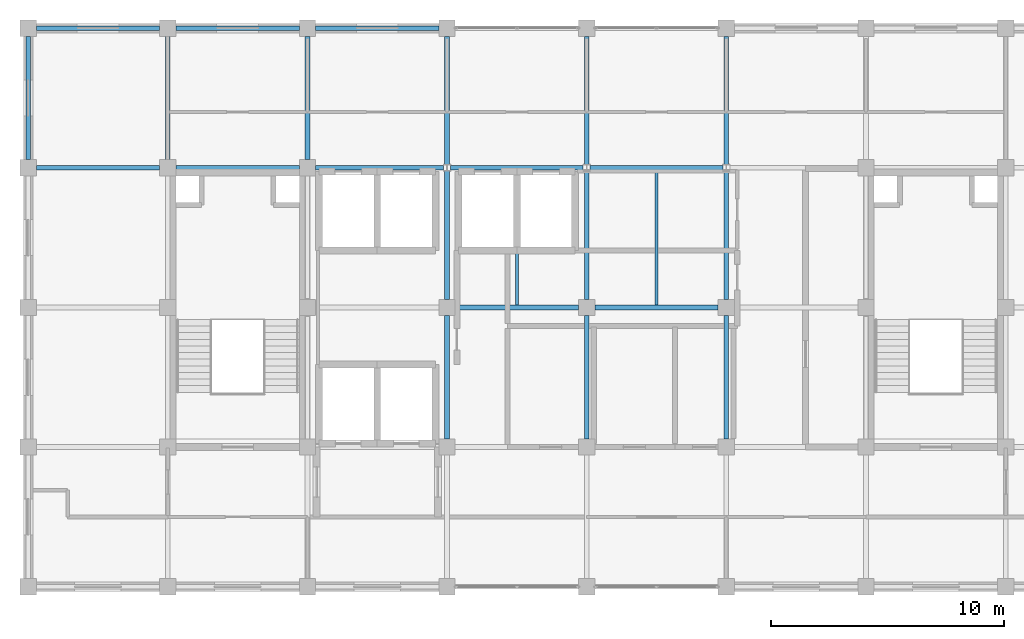
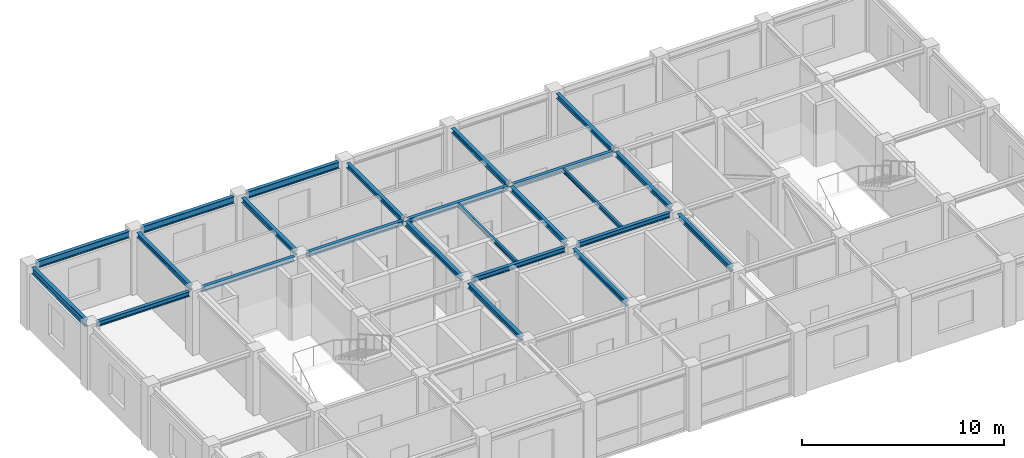
# One storey, part 5 of 11: 24 beams.
"""IFC4 building model written with IfcOpenShell, lengths in metres."""

from ifc_helpers import new_model, si_unit, direction, frame, origin, origin_2d, place, context, subcontext, project, spatial, i_section, extrude, material, material_profile, profile_set, type_object, element, save


model = new_model("IFC4")

# Units and contexts
model_context = context("Model", 3, precision=1e-05, world=origin(), true_north=direction((0.0, 1.0)))
body_context = subcontext(model_context, "Body", "Model", "MODEL_VIEW")
ifc_project = project(units=[si_unit("LENGTHUNIT", "METRE"), si_unit("AREAUNIT", "SQUARE_METRE"), si_unit("VOLUMEUNIT", "CUBIC_METRE"), si_unit("PLANEANGLEUNIT", "RADIAN"), si_unit("MASSUNIT", "GRAM", prefix="KILO")], contexts=[model_context])

# Site, building, storey
site_placement = place(None, origin())
site = spatial("IfcSite", under=ifc_project, at=site_placement, CompositionType="ELEMENT")
building_placement = place(site_placement, origin())
building = spatial("IfcBuilding", under=site, at=building_placement, Name="Zlatovratsky Civic Hall", CompositionType="ELEMENT")
storey_placement = place(building_placement, frame((0.0, 0.0, 60.0)))
storey = spatial("IfcBuildingStorey", under=building, at=storey_placement, Name="L15", CompositionType="ELEMENT", Elevation=60.0)

# Beams
ifc_material = material(Name="Steel S355", Category="steel")
ifc_material_profile_1 = material_profile(ifc_material, i_section(OverallWidth=0.199951171875, OverallDepth=0.39990234375, WebThickness=0.008056640625, FlangeThickness=0.012939453125, FilletRadius=0.014892578125, at=origin_2d()), Name="40B2")
ifc_profile_set_1 = profile_set([ifc_material_profile_1], Name="Steel S355")
beam_type_1 = type_object("IfcBeamType", Name="Beam_Spandrel_40B2", PredefinedType="SPANDREL", material=ifc_profile_set_1)
for number, where, z_axis, x_axis, name in (
    (1, (60.35009765625, 102.0, 3.5400390625), (1.0, 0.0, 0.0), (0.0, 1.0, 0.0), "BM-5071"),
    (2, (66.35009765625, 102.0, 3.5400390625), (1.0, 0.0, 0.0), (0.0, 1.0, 0.0), "BM-5072"),
    (3, (72.35009765625, 102.0, 3.5400390625), (1.0, 0.0, 0.0), (0.0, 1.0, 0.0), "BM-5073"),
    (4, (60.0, 96.35009765625, 3.5400390625), (0.0, 1.0, 0.0), (-1.0, 0.0, 0.0), "BM-5082"),
):
    element("IfcBeam", number, at=place(storey_placement, frame(where, z_axis=z_axis, x_axis=x_axis)), inside=storey, type_object=beam_type_1, Name=name, PredefinedType="SPANDREL", context=body_context, shape_type="SweptSolid", body=[
        extrude(i_section(OverallWidth=0.199951171875, OverallDepth=0.39990234375, WebThickness=0.008056640625, FlangeThickness=0.012939453125, FilletRadius=0.014892578125, at=origin_2d()), origin(), (0.0, 0.0, 1.0), 5.2998046875),
    ])
ifc_material_profile_2 = material_profile(ifc_material, i_section(OverallWidth=0.199951171875, OverallDepth=0.291015625, WebThickness=0.008056640625, FlangeThickness=0.010986328125, FilletRadius=0.01806640625, at=origin_2d()), Name="30Sh1")
ifc_profile_set_2 = profile_set([ifc_material_profile_2], Name="Steel S355")
beam_type_2 = type_object("IfcBeamType", Name="Beam_TowerHigh_30Sh1", PredefinedType="BEAM", material=ifc_profile_set_2)
for number, where, z_axis, x_axis, name in (
    (5, (78.35009765625, 90.0, 3.594482421875), (1.0, 0.0, 0.0), (0.0, 1.0, 0.0), "BM-5059"),
    (6, (84.35009765625, 90.0, 3.594482421875), (1.0, 0.0, 0.0), (0.0, 1.0, 0.0), "BM-5060"),
    (7, (60.35009765625, 96.0, 3.594482421875), (1.0, 0.0, 0.0), (0.0, 1.0, 0.0), "BM-5063"),
    (8, (66.35009765625, 96.0, 3.594482421875), (1.0, 0.0, 0.0), (0.0, 1.0, 0.0), "BM-5064"),
):
    element("IfcBeam", number, at=place(storey_placement, frame(where, z_axis=z_axis, x_axis=x_axis)), inside=storey, type_object=beam_type_2, Name=name, PredefinedType="BEAM", context=body_context, shape_type="SweptSolid", body=[
        extrude(i_section(OverallWidth=0.199951171875, OverallDepth=0.291015625, WebThickness=0.008056640625, FlangeThickness=0.010986328125, FilletRadius=0.01806640625, at=origin_2d()), origin(), (0.0, 0.0, 1.0), 5.2998046875),
    ])
beam_1_placement = place(storey_placement, frame((72.35009765625, 96.0, 3.594482421875), z_axis=(1.0, 0.0, 0.0), x_axis=(0.0, 1.0, 0.0)))
element("IfcBeam", 9, at=beam_1_placement, inside=storey, type_object=beam_type_2, Name="BM-5065", PredefinedType="BEAM", context=body_context, shape_type="SweptSolid", body=[
    extrude(i_section(OverallWidth=0.199951171875, OverallDepth=0.291015625, WebThickness=0.008056640625, FlangeThickness=0.010986328125, FilletRadius=0.01806640625, at=origin_2d()), origin(), (0.0, 0.0, 1.0), 5.50048828125),
])
for number, where, z_axis, x_axis, name in (
    (10, (78.1494140625, 96.0, 3.594482421875), (1.0, 0.0, 0.0), (0.0, 1.0, 0.0), "BM-5066"),
    (11, (84.1494140625, 96.0, 3.594482421875), (1.0, 0.0, 0.0), (0.0, 1.0, 0.0), "BM-5067"),
):
    element("IfcBeam", number, at=place(storey_placement, frame(where, z_axis=z_axis, x_axis=x_axis)), inside=storey, type_object=beam_type_2, Name=name, PredefinedType="BEAM", context=body_context, shape_type="SweptSolid", body=[
        extrude(i_section(OverallWidth=0.199951171875, OverallDepth=0.291015625, WebThickness=0.008056640625, FlangeThickness=0.010986328125, FilletRadius=0.01806640625, at=origin_2d()), origin(), (0.0, 0.0, 1.0), 5.701171875),
    ])
for number, where, z_axis, x_axis, name in (
    (12, (66.0, 96.35009765625, 3.594482421875), (0.0, 1.0, 0.0), (-1.0, 0.0, 0.0), "BM-5086"),
    (13, (72.0, 96.35009765625, 3.594482421875), (0.0, 1.0, 0.0), (-1.0, 0.0, 0.0), "BM-5090"),
    (14, (78.0, 84.35009765625, 3.594482421875), (0.0, 1.0, 0.0), (-1.0, 0.0, 0.0), "BM-5092"),
):
    element("IfcBeam", number, at=place(storey_placement, frame(where, z_axis=z_axis, x_axis=x_axis)), inside=storey, type_object=beam_type_2, Name=name, PredefinedType="BEAM", context=body_context, shape_type="SweptSolid", body=[
        extrude(i_section(OverallWidth=0.199951171875, OverallDepth=0.291015625, WebThickness=0.008056640625, FlangeThickness=0.010986328125, FilletRadius=0.01806640625, at=origin_2d()), origin(), (0.0, 0.0, 1.0), 5.2998046875),
    ])
for number, where, z_axis, x_axis, name in (
    (15, (78.0, 90.35009765625, 3.594482421875), (0.0, 1.0, 0.0), (-1.0, 0.0, 0.0), "BM-5093"),
    (16, (78.0, 96.14794921875, 3.594482421875), (0.0, 1.0, 0.0), (-1.0, 0.0, 0.0), "BM-5094"),
):
    element("IfcBeam", number, at=place(storey_placement, frame(where, z_axis=z_axis, x_axis=x_axis)), inside=storey, type_object=beam_type_2, Name=name, PredefinedType="BEAM", context=body_context, shape_type="SweptSolid", body=[
        extrude(i_section(OverallWidth=0.199951171875, OverallDepth=0.291015625, WebThickness=0.008056640625, FlangeThickness=0.010986328125, FilletRadius=0.01806640625, at=origin_2d()), origin(), (0.0, 0.0, 1.0), 5.501953125),
    ])
beam_2_placement = place(storey_placement, frame((84.0, 84.35009765625, 3.594482421875), z_axis=(0.0, 1.0, 0.0), x_axis=(-1.0, 0.0, 0.0)))
element("IfcBeam", 17, at=beam_2_placement, inside=storey, type_object=beam_type_2, Name="BM-5096", PredefinedType="BEAM", context=body_context, shape_type="SweptSolid", body=[
    extrude(i_section(OverallWidth=0.199951171875, OverallDepth=0.291015625, WebThickness=0.008056640625, FlangeThickness=0.010986328125, FilletRadius=0.01806640625, at=origin_2d()), origin(), (0.0, 0.0, 1.0), 5.2998046875),
])
for number, where, z_axis, x_axis, name in (
    (18, (84.0, 90.35009765625, 3.594482421875), (0.0, 1.0, 0.0), (-1.0, 0.0, 0.0), "BM-5097"),
    (19, (84.0, 96.14794921875, 3.594482421875), (0.0, 1.0, 0.0), (-1.0, 0.0, 0.0), "BM-5098"),
):
    element("IfcBeam", number, at=place(storey_placement, frame(where, z_axis=z_axis, x_axis=x_axis)), inside=storey, type_object=beam_type_2, Name=name, PredefinedType="BEAM", context=body_context, shape_type="SweptSolid", body=[
        extrude(i_section(OverallWidth=0.199951171875, OverallDepth=0.291015625, WebThickness=0.008056640625, FlangeThickness=0.010986328125, FilletRadius=0.01806640625, at=origin_2d()), origin(), (0.0, 0.0, 1.0), 5.501953125),
    ])
beam_3_placement = place(storey_placement, frame((90.0, 84.35009765625, 3.594482421875), z_axis=(0.0, 1.0, 0.0), x_axis=(-1.0, 0.0, 0.0)))
element("IfcBeam", 20, at=beam_3_placement, inside=storey, type_object=beam_type_2, Name="BM-5100", PredefinedType="BEAM", context=body_context, shape_type="SweptSolid", body=[
    extrude(i_section(OverallWidth=0.199951171875, OverallDepth=0.291015625, WebThickness=0.008056640625, FlangeThickness=0.010986328125, FilletRadius=0.01806640625, at=origin_2d()), origin(), (0.0, 0.0, 1.0), 5.2998046875),
])
for number, where, z_axis, x_axis, name in (
    (21, (90.0, 90.35009765625, 3.594482421875), (0.0, 1.0, 0.0), (-1.0, 0.0, 0.0), "BM-5101"),
    (22, (90.0, 96.14794921875, 3.594482421875), (0.0, 1.0, 0.0), (-1.0, 0.0, 0.0), "BM-5102"),
):
    element("IfcBeam", number, at=place(storey_placement, frame(where, z_axis=z_axis, x_axis=x_axis)), inside=storey, type_object=beam_type_2, Name=name, PredefinedType="BEAM", context=body_context, shape_type="SweptSolid", body=[
        extrude(i_section(OverallWidth=0.199951171875, OverallDepth=0.291015625, WebThickness=0.008056640625, FlangeThickness=0.010986328125, FilletRadius=0.01806640625, at=origin_2d()), origin(), (0.0, 0.0, 1.0), 5.501953125),
    ])
ifc_material_profile_3 = material_profile(ifc_material, i_section(OverallWidth=0.1240234375, OverallDepth=0.248046875, WebThickness=0.0048828125, FlangeThickness=0.008056640625, FilletRadius=0.011962890625, at=origin_2d()), Name="25B1")
ifc_profile_set_3 = profile_set([ifc_material_profile_3], Name="Steel S355")
beam_type_3 = type_object("IfcBeamType", Name="Joist_Upper_25B1", PredefinedType="JOIST", material=ifc_profile_set_3)
for number, where, z_axis, x_axis, name in (
    (23, (81.0, 90.10009765625, 3.615966796875), (0.0, 1.0, 0.0), (-1.0, 0.0, 0.0), "BM-5115"),
    (24, (87.0, 90.10009765625, 3.615966796875), (0.0, 1.0, 0.0), (-1.0, 0.0, 0.0), "BM-5116"),
):
    element("IfcBeam", number, at=place(storey_placement, frame(where, z_axis=z_axis, x_axis=x_axis)), inside=storey, type_object=beam_type_3, Name=name, PredefinedType="JOIST", context=body_context, shape_type="SweptSolid", body=[
        extrude(i_section(OverallWidth=0.1240234375, OverallDepth=0.248046875, WebThickness=0.0048828125, FlangeThickness=0.008056640625, FilletRadius=0.011962890625, at=origin_2d()), origin(), (0.0, 0.0, 1.0), 5.7998046875),
    ])

save(model, "model.ifc")
